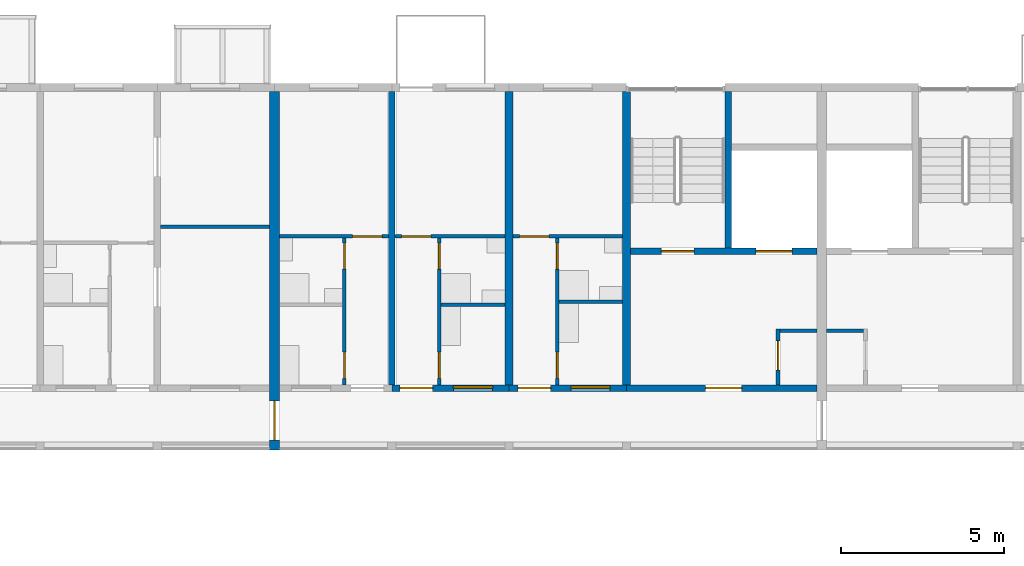
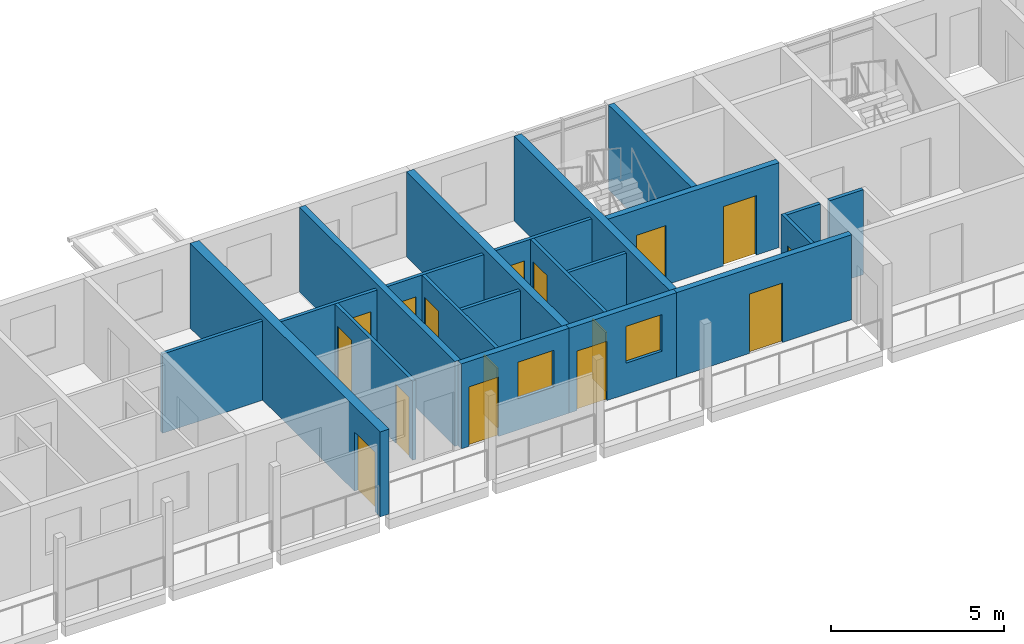
# One storey, part 58 of 100: 21 walls, 16 doors, 2 windows, 18 openings.
"""IFC4 building model written with IfcOpenShell, lengths in metres."""

from ifc_helpers import new_model, si_unit, direction, frame, frame_2d, origin, place, context, subcontext, project, spatial, rectangle, extrude, material, layer, layer_set, type_object, element, fill, save


model = new_model("IFC4")

# Units and contexts
model_context = context("Model", 3, precision=1e-05, world=origin(), true_north=direction((0.0, 1.0)))
body_context = subcontext(model_context, "Body", "Model", "MODEL_VIEW")
ifc_project = project(units=[si_unit("LENGTHUNIT", "METRE"), si_unit("AREAUNIT", "SQUARE_METRE"), si_unit("VOLUMEUNIT", "CUBIC_METRE"), si_unit("PLANEANGLEUNIT", "RADIAN"), si_unit("MASSUNIT", "GRAM", prefix="KILO")], contexts=[model_context])

# Site, building, storey
site_placement = place(None, origin())
site = spatial("IfcSite", under=ifc_project, at=site_placement, CompositionType="ELEMENT")
building_placement = place(site_placement, origin())
building = spatial("IfcBuilding", under=site, at=building_placement, Name="Ridgestep Commons", CompositionType="ELEMENT")
storey_placement = place(building_placement, frame((0.0, 0.0, 9.0)))
storey = spatial("IfcBuildingStorey", under=building, at=storey_placement, Name="L03", CompositionType="ELEMENT", Elevation=9.0)

# Wall
ifc_material_1 = material(Name="Concrete C30/37", Category="concrete")
ifc_layer_1 = layer(ifc_material_1, 0.25)
ifc_layer_set_1 = layer_set([ifc_layer_1], Name="Core cross wall 250")
wall_type_1 = type_object("IfcWallType", Name="Core cross wall 250", PredefinedType="SHEAR", material=ifc_layer_set_1)
wall_1_placement = place(storey_placement, frame((224.800048828125, 68.0, 0.0), z_axis=(0.0, 0.0, 1.0), x_axis=(0.0, 1.0, 0.0)))
element("IfcWall", 1, at=wall_1_placement, inside=storey, type_object=wall_type_1, Name="Cross wall C-03-2248", PredefinedType="SHEAR", context=body_context, shape_type="SweptSolid", body=[
    extrude(rectangle(XDim=9.0, YDim=0.25, at=frame_2d((4.5, 0.0))), origin(), (0.0, 0.0, 1.0), 3.0),
])

# Wall, opening, door
ifc_material_2 = material(Name="Concrete C30/37", Category="concrete")
ifc_layer_2 = layer(ifc_material_2, 0.199951171875)
ifc_layer_set_2 = layer_set([ifc_layer_2], Name="Core south wall 200")
wall_type_2 = type_object("IfcWallType", Name="Core south wall 200", PredefinedType="SHEAR", material=ifc_layer_set_2)
wall_2_placement = place(storey_placement, frame((224.800048828125, 67.89990234375, 0.0), z_axis=(0.0, 0.0, 1.0), x_axis=(1.0, 0.0, 0.0)))
wall_2 = element("IfcWall", 2, at=wall_2_placement, inside=storey, type_object=wall_type_2, Name="Core south wall C5C L03", PredefinedType="SHEAR", context=body_context, shape_type="SweptSolid", body=[
    extrude(rectangle(XDim=5.849853515625, YDim=0.199951171875, at=frame_2d((2.9248046875, 0.0))), origin(), (0.0, 0.0, 1.0), 3.0),
])
opening_1_placement = place(wall_2_placement, frame((2.4375, 0.0, 0.0)))
opening_1 = element("IfcOpeningElement", 3, at=opening_1_placement, cuts=wall_2, Name="Opening C5C/03/1", PredefinedType="OPENING", context=body_context, shape_type="SweptSolid", body=[
    extrude(rectangle(XDim=1.10009765625, YDim=2.10009765625, at=frame_2d((0.550048828125, 1.050048828125))), frame((0.0, 0.10986328125, 0.0), z_axis=(0.0, -1.0, 0.0), x_axis=(1.0, 0.0, 0.0)), (0.0, 0.0, 1.0), 0.219970703125),
])
ifc_material_3 = material(Name="Steel fire door", Category="steel")
door_type_1 = type_object("IfcDoorType", Name="Lobby door 1100 x 2100 FD60", OperationType="NOTDEFINED", PredefinedType="DOOR", material=ifc_material_3)
door_1_placement = place(opening_1_placement, origin())
door_1 = element("IfcDoor", 4, at=door_1_placement, inside=storey, type_object=door_type_1, Name="Lobby door C5C/03/1", OperationType="SINGLE_SWING_LEFT", OverallHeight=2.10009765625, OverallWidth=1.10009765625, PredefinedType="DOOR", context=body_context, shape_type="SweptSolid", body=[
    extrude(rectangle(XDim=1.10009765625, YDim=2.10009765625, at=frame_2d((0.550048828125, 1.050048828125))), frame((0.0, 0.02490234375, 0.0), z_axis=(0.0, -1.0, 0.0), x_axis=(1.0, 0.0, 0.0)), (0.0, 0.0, 1.0), 0.050048828125),
])
fill(opening_1, door_1)

ifc_material_4 = material(Name="Concrete C30/37", Category="concrete")
ifc_layer_3 = layer(ifc_material_4, 0.1201171875)
ifc_layer_set_3 = layer_set([ifc_layer_3], Name="Core wall 120")
wall_type_3 = type_object("IfcWallType", Name="Core wall 120", PredefinedType="SHEAR", material=ifc_layer_set_3)
wall_3_placement = place(storey_placement, frame((229.4599609375, 68.0, 0.0), z_axis=(0.0, 0.0, 1.0), x_axis=(0.0, 1.0, 0.0)))
wall_3 = element("IfcWall", 5, at=wall_3_placement, inside=storey, type_object=wall_type_3, Name="Core riser w wall C5C L03", PredefinedType="SHEAR", context=body_context, shape_type="SweptSolid", body=[
    extrude(rectangle(XDim=1.719970703125, YDim=0.1201171875, at=frame_2d((0.85986328125, 0.0))), origin(), (0.0, 0.0, 1.0), 3.0),
])
opening_2_placement = place(wall_3_placement, frame((0.449951171875, 0.0, 0.0)))
opening_2 = element("IfcOpeningElement", 6, at=opening_2_placement, cuts=wall_3, Name="Opening C5C/03/4", PredefinedType="OPENING", context=body_context, shape_type="SweptSolid", body=[
    extrude(rectangle(XDim=0.89990234375, YDim=2.10009765625, at=frame_2d((0.449951171875, 1.050048828125))), frame((0.0, 0.070068359375, 0.0), z_axis=(0.0, -1.0, 0.0), x_axis=(1.0, 0.0, 0.0)), (0.0, 0.0, 1.0), 0.14013671875),
])
ifc_material_5 = material(Name="Steel fire door", Category="steel")
door_type_2 = type_object("IfcDoorType", Name="Riser door 900 x 2100 FD60", OperationType="NOTDEFINED", PredefinedType="DOOR", material=ifc_material_5)
door_2_placement = place(opening_2_placement, origin())
door_2 = element("IfcDoor", 7, at=door_2_placement, inside=storey, type_object=door_type_2, Name="Riser door C5C/03/4", OperationType="SINGLE_SWING_LEFT", OverallHeight=2.10009765625, OverallWidth=0.89990234375, PredefinedType="DOOR", context=body_context, shape_type="SweptSolid", body=[
    extrude(rectangle(XDim=0.89990234375, YDim=2.10009765625, at=frame_2d((0.449951171875, 1.050048828125))), frame((0.0, 0.02490234375, 0.0), z_axis=(0.0, -1.0, 0.0), x_axis=(1.0, 0.0, 0.0)), (0.0, 0.0, 1.0), 0.050048828125),
])
fill(opening_2, door_2)

# Walls
wall_4_placement = place(storey_placement, frame((229.52001953125, 69.659912109375, 0.0), z_axis=(0.0, 0.0, 1.0), x_axis=(1.0, 0.0, 0.0)))
element("IfcWall", 8, at=wall_4_placement, inside=storey, type_object=wall_type_3, Name="Core riser n wall C5C L03", PredefinedType="SHEAR", context=body_context, shape_type="SweptSolid", body=[
    extrude(rectangle(XDim=1.1298828125, YDim=0.1201171875, at=frame_2d((0.56494140625, 0.0))), origin(), (0.0, 0.0, 1.0), 3.0),
])
wall_5_placement = place(storey_placement, frame((230.949951171875, 69.659912109375, 0.0), z_axis=(0.0, 0.0, 1.0), x_axis=(1.0, 0.0, 0.0)))
element("IfcWall", 9, at=wall_5_placement, inside=storey, type_object=wall_type_3, Name="Core riser n wall C6C L03", PredefinedType="SHEAR", context=body_context, shape_type="SweptSolid", body=[
    extrude(rectangle(XDim=1.130126953125, YDim=0.1201171875, at=frame_2d((0.56494140625, 0.0))), origin(), (0.0, 0.0, 1.0), 3.0),
])

# Wall, openings, doors
ifc_material_6 = material(Name="Concrete C30/37", Category="concrete")
ifc_layer_4 = layer(ifc_material_6, 0.199951171875)
ifc_layer_set_4 = layer_set([ifc_layer_4], Name="Core wall 200")
wall_type_4 = type_object("IfcWallType", Name="Core wall 200", PredefinedType="SHEAR", material=ifc_layer_set_4)
wall_6_placement = place(storey_placement, frame((224.925048828125, 72.10009765625, 0.0), z_axis=(0.0, 0.0, 1.0), x_axis=(1.0, 0.0, 0.0)))
wall_6 = element("IfcWall", 10, at=wall_6_placement, inside=storey, type_object=wall_type_4, Name="Core lobby wall C5C L03", PredefinedType="SHEAR", context=body_context, shape_type="SweptSolid", body=[
    extrude(rectangle(XDim=5.724853515625, YDim=0.199951171875, at=frame_2d((2.8623046875, 0.0))), origin(), (0.0, 0.0, 1.0), 3.0),
])
opening_3_placement = place(wall_6_placement, frame((0.949951171875, 0.0, 0.0)))
opening_3 = element("IfcOpeningElement", 11, at=opening_3_placement, cuts=wall_6, Name="Opening C5C/03/2", PredefinedType="OPENING", context=body_context, shape_type="SweptSolid", body=[
    extrude(rectangle(XDim=1.0, YDim=2.10009765625, at=frame_2d((0.5, 1.050048828125))), frame((0.0, 0.10986328125, 0.0), z_axis=(0.0, -1.0, 0.0), x_axis=(1.0, 0.0, 0.0)), (0.0, 0.0, 1.0), 0.219970703125),
])
opening_4_placement = place(wall_6_placement, frame((3.862548828125, 0.0, 0.0)))
opening_4 = element("IfcOpeningElement", 12, at=opening_4_placement, cuts=wall_6, Name="Opening C5C/03/3", PredefinedType="OPENING", context=body_context, shape_type="SweptSolid", body=[
    extrude(rectangle(XDim=1.10009765625, YDim=2.10009765625, at=frame_2d((0.550048828125, 1.050048828125))), frame((0.0, 0.10986328125, 0.0), z_axis=(0.0, -1.0, 0.0), x_axis=(1.0, 0.0, 0.0)), (0.0, 0.0, 1.0), 0.219970703125),
])
ifc_material_7 = material(Name="Stainless steel", Category="steel")
door_type_3 = type_object("IfcDoorType", Name="Lift landing door 1100 x 2100 FD60", OperationType="DOUBLE_DOOR_SLIDING", PredefinedType="DOOR", material=ifc_material_7)
door_3_placement = place(opening_4_placement, origin())
door_3 = element("IfcDoor", 13, at=door_3_placement, inside=storey, type_object=door_type_3, Name="Landing door LD C5C L03", OperationType="DOUBLE_DOOR_SLIDING", OverallHeight=2.10009765625, OverallWidth=1.10009765625, PredefinedType="DOOR", context=body_context, shape_type="SweptSolid", body=[
    extrude(rectangle(XDim=1.10009765625, YDim=2.10009765625, at=frame_2d((0.550048828125, 1.050048828125))), frame((0.0, 0.02490234375, 0.0), z_axis=(0.0, -1.0, 0.0), x_axis=(1.0, 0.0, 0.0)), (0.0, 0.0, 1.0), 0.050048828125),
])
fill(opening_4, door_3)
ifc_material_8 = material(Name="Steel fire door", Category="steel")
door_type_4 = type_object("IfcDoorType", Name="Stair door 1000 x 2100 FD60", OperationType="NOTDEFINED", PredefinedType="DOOR", material=ifc_material_8)
door_4_placement = place(opening_3_placement, origin())
door_4 = element("IfcDoor", 14, at=door_4_placement, inside=storey, type_object=door_type_4, Name="Stair door C5C/03/2", OperationType="SINGLE_SWING_RIGHT", OverallHeight=2.10009765625, OverallWidth=1.0, PredefinedType="DOOR", context=body_context, shape_type="SweptSolid", body=[
    extrude(rectangle(XDim=1.0, YDim=2.10009765625, at=frame_2d((0.5, 1.050048828125))), frame((0.0, 0.02490234375, 0.0), z_axis=(0.0, -1.0, 0.0), x_axis=(1.0, 0.0, 0.0)), (0.0, 0.0, 1.0), 0.050048828125),
])
fill(opening_3, door_4)

# Walls
wall_7_placement = place(storey_placement, frame((227.925048828125, 72.199951171875, 0.0), z_axis=(0.0, 0.0, 1.0), x_axis=(0.0, 1.0, 0.0)))
element("IfcWall", 15, at=wall_7_placement, inside=storey, type_object=wall_type_4, Name="Core stair wall C5C L03", PredefinedType="SHEAR", context=body_context, shape_type="SweptSolid", body=[
    extrude(rectangle(XDim=4.800048828125, YDim=0.199951171875, at=frame_2d((2.39990234375, 0.0))), origin(), (0.0, 0.0, 1.0), 3.0),
])
ifc_material_9 = material(Name="Precast concrete C40/50", Category="concrete")
ifc_layer_5 = layer(ifc_material_9, 0.199951171875)
ifc_layer_set_5 = layer_set([ifc_layer_5], Name="Cross wall 200")
wall_type_5 = type_object("IfcWallType", Name="Cross wall 200", PredefinedType="SHEAR", material=ifc_layer_set_5)
wall_8_placement = place(storey_placement, frame((217.60009765625, 68.0, 0.0), z_axis=(0.0, 0.0, 1.0), x_axis=(0.0, 1.0, 0.0)))
element("IfcWall", 16, at=wall_8_placement, inside=storey, type_object=wall_type_5, Name="Cross wall C-03-2176", PredefinedType="SHEAR", context=body_context, shape_type="SweptSolid", body=[
    extrude(rectangle(XDim=9.0, YDim=0.199951171875, at=frame_2d((4.5, 0.0))), origin(), (0.0, 0.0, 1.0), 3.0),
])
ifc_material_10 = material(Name="Precast concrete C40/50", Category="concrete")
ifc_layer_6 = layer(ifc_material_10, 0.25)
ifc_layer_set_6 = layer_set([ifc_layer_6], Name="Cross wall 250")
wall_type_6 = type_object("IfcWallType", Name="Cross wall 250", PredefinedType="SHEAR", material=ifc_layer_set_6)
wall_9_placement = place(storey_placement, frame((221.199951171875, 68.0, 0.0), z_axis=(0.0, 0.0, 1.0), x_axis=(0.0, 1.0, 0.0)))
element("IfcWall", 17, at=wall_9_placement, inside=storey, type_object=wall_type_6, Name="Cross wall C-03-2212", PredefinedType="SHEAR", context=body_context, shape_type="SweptSolid", body=[
    extrude(rectangle(XDim=9.0, YDim=0.25, at=frame_2d((4.5, 0.0))), origin(), (0.0, 0.0, 1.0), 3.0),
])

# Wall, opening, door
ifc_material_11 = material(Name="Precast concrete C40/50", Category="concrete")
ifc_layer_7 = layer(ifc_material_11, 0.300048828125)
ifc_layer_set_7 = layer_set([ifc_layer_7], Name="Division wall 300")
wall_type_7 = type_object("IfcWallType", Name="Division wall 300", PredefinedType="SHEAR", material=ifc_layer_set_7)
wall_10_placement = place(storey_placement, frame((214.0, 66.0, 0.0), z_axis=(0.0, 0.0, 1.0), x_axis=(0.0, 1.0, 0.0)))
wall_10 = element("IfcWall", 18, at=wall_10_placement, inside=storey, type_object=wall_type_7, Name="Cross wall C-03-2140", PredefinedType="SHEAR", context=body_context, shape_type="SweptSolid", body=[
    extrude(rectangle(XDim=11.0, YDim=0.300048828125, at=frame_2d((5.5, 0.0))), origin(), (0.0, 0.0, 1.0), 3.0),
])
opening_5_placement = place(wall_10_placement, frame((0.300048828125, 0.0, 0.0)))
opening_5 = element("IfcOpeningElement", 19, at=opening_5_placement, cuts=wall_10, Name="Opening C/03/G2140", PredefinedType="OPENING", context=body_context, shape_type="SweptSolid", body=[
    extrude(rectangle(XDim=1.199951171875, YDim=2.10009765625, at=frame_2d((0.60009765625, 1.050048828125))), frame((0.0, 0.159912109375, 0.0), z_axis=(0.0, -1.0, 0.0), x_axis=(1.0, 0.0, 0.0)), (0.0, 0.0, 1.0), 0.320068359375),
])
ifc_material_12 = material(Name="Steel fire door", Category="steel")
door_type_5 = type_object("IfcDoorType", Name="Division fire door 1200 x 2100 EI 240", OperationType="DOUBLE_DOOR_SINGLE_SWING", PredefinedType="DOOR", material=ifc_material_12)
door_5_placement = place(opening_5_placement, origin())
door_5 = element("IfcDoor", 20, at=door_5_placement, inside=storey, type_object=door_type_5, Name="Division fire door C/03/G2140", OperationType="DOUBLE_DOOR_SINGLE_SWING", OverallHeight=2.10009765625, OverallWidth=1.199951171875, PredefinedType="DOOR", context=body_context, shape_type="SweptSolid", body=[
    extrude(rectangle(XDim=1.199951171875, YDim=2.10009765625, at=frame_2d((0.60009765625, 1.050048828125))), frame((0.0, 0.02490234375, 0.0), z_axis=(0.0, -1.0, 0.0), x_axis=(1.0, 0.0, 0.0)), (0.0, 0.0, 1.0), 0.050048828125),
])
fill(opening_5, door_5)

# Wall
ifc_material_13 = material(Name="Common brick 110 mm", Category="masonry")
ifc_layer_8 = layer(ifc_material_13, 0.110107421875)
ifc_layer_set_8 = layer_set([ifc_layer_8], Name="Partition 110")
wall_type_8 = type_object("IfcWallType", Name="Partition 110", PredefinedType="PARTITIONING", material=ifc_layer_set_8)
wall_11_placement = place(storey_placement, frame((210.5, 72.85498046875, 0.0), z_axis=(0.0, 0.0, 1.0), x_axis=(1.0, 0.0, 0.0)))
element("IfcWall", 21, at=wall_11_placement, inside=storey, type_object=wall_type_8, Name="Partition C4-03a", PredefinedType="PARTITIONING", context=body_context, shape_type="SweptSolid", body=[
    extrude(rectangle(XDim=3.35009765625, YDim=0.110107421875, at=frame_2d((1.675048828125, 0.0))), origin(), (0.0, 0.0, 1.0), 2.800048828125),
])

# Wall, openings, doors
wall_12_placement = place(storey_placement, frame((216.14501953125, 68.0, 0.0), z_axis=(0.0, 0.0, 1.0), x_axis=(0.0, 1.0, 0.0)))
wall_12 = element("IfcWall", 22, at=wall_12_placement, inside=storey, type_object=wall_type_8, Name="Partition C5-03a", PredefinedType="PARTITIONING", context=body_context, shape_type="SweptSolid", body=[
    extrude(rectangle(XDim=4.5, YDim=0.110107421875, at=frame_2d((2.25, 0.0))), origin(), (0.0, 0.0, 1.0), 2.800048828125),
])
opening_6_placement = place(wall_12_placement, frame((0.199951171875, 0.0, 0.0)))
opening_6 = element("IfcOpeningElement", 23, at=opening_6_placement, cuts=wall_12, Name="Opening C5-03a/2", PredefinedType="OPENING", context=body_context, shape_type="SweptSolid", body=[
    extrude(rectangle(XDim=0.800048828125, YDim=2.10009765625, at=frame_2d((0.39990234375, 1.050048828125))), frame((0.0, 0.06494140625, 0.0), z_axis=(0.0, -1.0, 0.0), x_axis=(1.0, 0.0, 0.0)), (0.0, 0.0, 1.0), 0.130126953125),
])
opening_7_placement = place(wall_12_placement, frame((3.550048828125, 0.0, 0.0)))
opening_7 = element("IfcOpeningElement", 24, at=opening_7_placement, cuts=wall_12, Name="Opening C5-03a/3", PredefinedType="OPENING", context=body_context, shape_type="SweptSolid", body=[
    extrude(rectangle(XDim=0.800048828125, YDim=2.10009765625, at=frame_2d((0.39990234375, 1.050048828125))), frame((0.0, 0.06494140625, 0.0), z_axis=(0.0, -1.0, 0.0), x_axis=(1.0, 0.0, 0.0)), (0.0, 0.0, 1.0), 0.130126953125),
])
ifc_material_14 = material(Name="Timber door leaf", Category="wood")
door_type_6 = type_object("IfcDoorType", Name="Internal door 800 x 2100", OperationType="NOTDEFINED", PredefinedType="DOOR", material=ifc_material_14)
door_6_placement = place(opening_6_placement, origin())
door_6 = element("IfcDoor", 25, at=door_6_placement, inside=storey, type_object=door_type_6, Name="Internal door C5-03a/2", OperationType="SINGLE_SWING_LEFT", OverallHeight=2.10009765625, OverallWidth=0.800048828125, PredefinedType="DOOR", context=body_context, shape_type="SweptSolid", body=[
    extrude(rectangle(XDim=0.800048828125, YDim=2.10009765625, at=frame_2d((0.39990234375, 1.050048828125))), frame((0.0, 0.02490234375, 0.0), z_axis=(0.0, -1.0, 0.0), x_axis=(1.0, 0.0, 0.0)), (0.0, 0.0, 1.0), 0.050048828125),
])
fill(opening_6, door_6)
door_7_placement = place(opening_7_placement, origin())
door_7 = element("IfcDoor", 26, at=door_7_placement, inside=storey, type_object=door_type_6, Name="Internal door C5-03a/3", OperationType="SINGLE_SWING_RIGHT", OverallHeight=2.10009765625, OverallWidth=0.800048828125, PredefinedType="DOOR", context=body_context, shape_type="SweptSolid", body=[
    extrude(rectangle(XDim=0.800048828125, YDim=2.10009765625, at=frame_2d((0.39990234375, 1.050048828125))), frame((0.0, 0.02490234375, 0.0), z_axis=(0.0, -1.0, 0.0), x_axis=(1.0, 0.0, 0.0)), (0.0, 0.0, 1.0), 0.050048828125),
])
fill(opening_7, door_7)

# Wall, opening, door
wall_13_placement = place(storey_placement, frame((214.14990234375, 72.554931640625, 0.0), z_axis=(0.0, 0.0, 1.0), x_axis=(1.0, 0.0, 0.0)))
wall_13 = element("IfcWall", 27, at=wall_13_placement, inside=storey, type_object=wall_type_8, Name="Partition C5-03a", PredefinedType="PARTITIONING", context=body_context, shape_type="SweptSolid", body=[
    extrude(rectangle(XDim=3.35009765625, YDim=0.110107421875, at=frame_2d((1.675048828125, 0.0))), origin(), (0.0, 0.0, 1.0), 2.800048828125),
])
opening_8_placement = place(wall_13_placement, frame((2.25, 0.0, 0.0)))
opening_8 = element("IfcOpeningElement", 28, at=opening_8_placement, cuts=wall_13, Name="Opening C5-03a/4", PredefinedType="OPENING", context=body_context, shape_type="SweptSolid", body=[
    extrude(rectangle(XDim=0.89990234375, YDim=2.10009765625, at=frame_2d((0.449951171875, 1.050048828125))), frame((0.0, 0.06494140625, 0.0), z_axis=(0.0, -1.0, 0.0), x_axis=(1.0, 0.0, 0.0)), (0.0, 0.0, 1.0), 0.130126953125),
])
ifc_material_15 = material(Name="Timber door leaf", Category="wood")
door_type_7 = type_object("IfcDoorType", Name="Internal door 900 x 2100", OperationType="NOTDEFINED", PredefinedType="DOOR", material=ifc_material_15)
door_8_placement = place(opening_8_placement, origin())
door_8 = element("IfcDoor", 29, at=door_8_placement, inside=storey, type_object=door_type_7, Name="Internal door C5-03a/4", OperationType="SINGLE_SWING_LEFT", OverallHeight=2.10009765625, OverallWidth=0.89990234375, PredefinedType="DOOR", context=body_context, shape_type="SweptSolid", body=[
    extrude(rectangle(XDim=0.89990234375, YDim=2.10009765625, at=frame_2d((0.449951171875, 1.050048828125))), frame((0.0, 0.02490234375, 0.0), z_axis=(0.0, -1.0, 0.0), x_axis=(1.0, 0.0, 0.0)), (0.0, 0.0, 1.0), 0.050048828125),
])
fill(opening_8, door_8)

# Wall, openings, doors
wall_14_placement = place(storey_placement, frame((219.054931640625, 68.0, 0.0), z_axis=(0.0, 0.0, 1.0), x_axis=(0.0, 1.0, 0.0)))
wall_14 = element("IfcWall", 30, at=wall_14_placement, inside=storey, type_object=wall_type_8, Name="Partition C5-03b", PredefinedType="PARTITIONING", context=body_context, shape_type="SweptSolid", body=[
    extrude(rectangle(XDim=4.5, YDim=0.110107421875, at=frame_2d((2.25, 0.0))), origin(), (0.0, 0.0, 1.0), 2.800048828125),
])
opening_9_placement = place(wall_14_placement, frame((0.199951171875, 0.0, 0.0)))
opening_9 = element("IfcOpeningElement", 31, at=opening_9_placement, cuts=wall_14, Name="Opening C5-03b/2", PredefinedType="OPENING", context=body_context, shape_type="SweptSolid", body=[
    extrude(rectangle(XDim=0.800048828125, YDim=2.10009765625, at=frame_2d((0.39990234375, 1.050048828125))), frame((0.0, 0.06494140625, 0.0), z_axis=(0.0, -1.0, 0.0), x_axis=(1.0, 0.0, 0.0)), (0.0, 0.0, 1.0), 0.130126953125),
])
opening_10_placement = place(wall_14_placement, frame((3.550048828125, 0.0, 0.0)))
opening_10 = element("IfcOpeningElement", 32, at=opening_10_placement, cuts=wall_14, Name="Opening C5-03b/3", PredefinedType="OPENING", context=body_context, shape_type="SweptSolid", body=[
    extrude(rectangle(XDim=0.800048828125, YDim=2.10009765625, at=frame_2d((0.39990234375, 1.050048828125))), frame((0.0, 0.06494140625, 0.0), z_axis=(0.0, -1.0, 0.0), x_axis=(1.0, 0.0, 0.0)), (0.0, 0.0, 1.0), 0.130126953125),
])
door_9_placement = place(opening_9_placement, origin())
door_9 = element("IfcDoor", 33, at=door_9_placement, inside=storey, type_object=door_type_6, Name="Internal door C5-03b/2", OperationType="SINGLE_SWING_RIGHT", OverallHeight=2.10009765625, OverallWidth=0.800048828125, PredefinedType="DOOR", context=body_context, shape_type="SweptSolid", body=[
    extrude(rectangle(XDim=0.800048828125, YDim=2.10009765625, at=frame_2d((0.39990234375, 1.050048828125))), frame((0.0, 0.02490234375, 0.0), z_axis=(0.0, -1.0, 0.0), x_axis=(1.0, 0.0, 0.0)), (0.0, 0.0, 1.0), 0.050048828125),
])
fill(opening_9, door_9)
door_10_placement = place(opening_10_placement, origin())
door_10 = element("IfcDoor", 34, at=door_10_placement, inside=storey, type_object=door_type_6, Name="Internal door C5-03b/3", OperationType="SINGLE_SWING_LEFT", OverallHeight=2.10009765625, OverallWidth=0.800048828125, PredefinedType="DOOR", context=body_context, shape_type="SweptSolid", body=[
    extrude(rectangle(XDim=0.800048828125, YDim=2.10009765625, at=frame_2d((0.39990234375, 1.050048828125))), frame((0.0, 0.02490234375, 0.0), z_axis=(0.0, -1.0, 0.0), x_axis=(1.0, 0.0, 0.0)), (0.0, 0.0, 1.0), 0.050048828125),
])
fill(opening_10, door_10)

# Wall
wall_15_placement = place(storey_placement, frame((219.110107421875, 70.455078125, 0.0), z_axis=(0.0, 0.0, 1.0), x_axis=(1.0, 0.0, 0.0)))
element("IfcWall", 35, at=wall_15_placement, inside=storey, type_object=wall_type_8, Name="Partition C5-03b", PredefinedType="PARTITIONING", context=body_context, shape_type="SweptSolid", body=[
    extrude(rectangle(XDim=1.96484375, YDim=0.110107421875, at=frame_2d((0.982421875, 0.0))), origin(), (0.0, 0.0, 1.0), 2.800048828125),
])

# Wall, opening, door
wall_16_placement = place(storey_placement, frame((217.699951171875, 72.554931640625, 0.0), z_axis=(0.0, 0.0, 1.0), x_axis=(1.0, 0.0, 0.0)))
wall_16 = element("IfcWall", 36, at=wall_16_placement, inside=storey, type_object=wall_type_8, Name="Partition C5-03b", PredefinedType="PARTITIONING", context=body_context, shape_type="SweptSolid", body=[
    extrude(rectangle(XDim=3.375, YDim=0.110107421875, at=frame_2d((1.6875, 0.0))), origin(), (0.0, 0.0, 1.0), 2.800048828125),
])
opening_11_placement = place(wall_16_placement, frame((0.199951171875, 0.0, 0.0)))
opening_11 = element("IfcOpeningElement", 37, at=opening_11_placement, cuts=wall_16, Name="Opening C5-03b/4", PredefinedType="OPENING", context=body_context, shape_type="SweptSolid", body=[
    extrude(rectangle(XDim=0.89990234375, YDim=2.10009765625, at=frame_2d((0.449951171875, 1.050048828125))), frame((0.0, 0.06494140625, 0.0), z_axis=(0.0, -1.0, 0.0), x_axis=(1.0, 0.0, 0.0)), (0.0, 0.0, 1.0), 0.130126953125),
])
door_11_placement = place(opening_11_placement, origin())
door_11 = element("IfcDoor", 38, at=door_11_placement, inside=storey, type_object=door_type_7, Name="Internal door C5-03b/4", OperationType="SINGLE_SWING_LEFT", OverallHeight=2.10009765625, OverallWidth=0.89990234375, PredefinedType="DOOR", context=body_context, shape_type="SweptSolid", body=[
    extrude(rectangle(XDim=0.89990234375, YDim=2.10009765625, at=frame_2d((0.449951171875, 1.050048828125))), frame((0.0, 0.02490234375, 0.0), z_axis=(0.0, -1.0, 0.0), x_axis=(1.0, 0.0, 0.0)), (0.0, 0.0, 1.0), 0.050048828125),
])
fill(opening_11, door_11)

# Wall, openings, doors
wall_17_placement = place(storey_placement, frame((222.679931640625, 68.0, 0.0), z_axis=(0.0, 0.0, 1.0), x_axis=(0.0, 1.0, 0.0)))
wall_17 = element("IfcWall", 39, at=wall_17_placement, inside=storey, type_object=wall_type_8, Name="Partition C5-03c", PredefinedType="PARTITIONING", context=body_context, shape_type="SweptSolid", body=[
    extrude(rectangle(XDim=4.5, YDim=0.110107421875, at=frame_2d((2.25, 0.0))), origin(), (0.0, 0.0, 1.0), 2.800048828125),
])
opening_12_placement = place(wall_17_placement, frame((0.199951171875, 0.0, 0.0)))
opening_12 = element("IfcOpeningElement", 40, at=opening_12_placement, cuts=wall_17, Name="Opening C5-03c/2", PredefinedType="OPENING", context=body_context, shape_type="SweptSolid", body=[
    extrude(rectangle(XDim=0.800048828125, YDim=2.10009765625, at=frame_2d((0.39990234375, 1.050048828125))), frame((0.0, 0.06494140625, 0.0), z_axis=(0.0, -1.0, 0.0), x_axis=(1.0, 0.0, 0.0)), (0.0, 0.0, 1.0), 0.130126953125),
])
opening_13_placement = place(wall_17_placement, frame((3.550048828125, 0.0, 0.0)))
opening_13 = element("IfcOpeningElement", 41, at=opening_13_placement, cuts=wall_17, Name="Opening C5-03c/3", PredefinedType="OPENING", context=body_context, shape_type="SweptSolid", body=[
    extrude(rectangle(XDim=0.800048828125, YDim=2.10009765625, at=frame_2d((0.39990234375, 1.050048828125))), frame((0.0, 0.06494140625, 0.0), z_axis=(0.0, -1.0, 0.0), x_axis=(1.0, 0.0, 0.0)), (0.0, 0.0, 1.0), 0.130126953125),
])
door_12_placement = place(opening_12_placement, origin())
door_12 = element("IfcDoor", 42, at=door_12_placement, inside=storey, type_object=door_type_6, Name="Internal door C5-03c/2", OperationType="SINGLE_SWING_RIGHT", OverallHeight=2.10009765625, OverallWidth=0.800048828125, PredefinedType="DOOR", context=body_context, shape_type="SweptSolid", body=[
    extrude(rectangle(XDim=0.800048828125, YDim=2.10009765625, at=frame_2d((0.39990234375, 1.050048828125))), frame((0.0, 0.02490234375, 0.0), z_axis=(0.0, -1.0, 0.0), x_axis=(1.0, 0.0, 0.0)), (0.0, 0.0, 1.0), 0.050048828125),
])
fill(opening_12, door_12)
door_13_placement = place(opening_13_placement, origin())
door_13 = element("IfcDoor", 43, at=door_13_placement, inside=storey, type_object=door_type_6, Name="Internal door C5-03c/3", OperationType="SINGLE_SWING_LEFT", OverallHeight=2.10009765625, OverallWidth=0.800048828125, PredefinedType="DOOR", context=body_context, shape_type="SweptSolid", body=[
    extrude(rectangle(XDim=0.800048828125, YDim=2.10009765625, at=frame_2d((0.39990234375, 1.050048828125))), frame((0.0, 0.02490234375, 0.0), z_axis=(0.0, -1.0, 0.0), x_axis=(1.0, 0.0, 0.0)), (0.0, 0.0, 1.0), 0.050048828125),
])
fill(opening_13, door_13)

# Wall
wall_18_placement = place(storey_placement, frame((222.735107421875, 70.554931640625, 0.0), z_axis=(0.0, 0.0, 1.0), x_axis=(1.0, 0.0, 0.0)))
element("IfcWall", 44, at=wall_18_placement, inside=storey, type_object=wall_type_8, Name="Partition C5-03c", PredefinedType="PARTITIONING", context=body_context, shape_type="SweptSolid", body=[
    extrude(rectangle(XDim=1.93994140625, YDim=0.110107421875, at=frame_2d((0.969970703125, 0.0))), origin(), (0.0, 0.0, 1.0), 2.800048828125),
])

# Wall, opening, door
wall_19_placement = place(storey_placement, frame((221.324951171875, 72.554931640625, 0.0), z_axis=(0.0, 0.0, 1.0), x_axis=(1.0, 0.0, 0.0)))
wall_19 = element("IfcWall", 45, at=wall_19_placement, inside=storey, type_object=wall_type_8, Name="Partition C5-03c", PredefinedType="PARTITIONING", context=body_context, shape_type="SweptSolid", body=[
    extrude(rectangle(XDim=3.35009765625, YDim=0.110107421875, at=frame_2d((1.675048828125, 0.0))), origin(), (0.0, 0.0, 1.0), 2.800048828125),
])
opening_14_placement = place(wall_19_placement, frame((0.199951171875, 0.0, 0.0)))
opening_14 = element("IfcOpeningElement", 46, at=opening_14_placement, cuts=wall_19, Name="Opening C5-03c/4", PredefinedType="OPENING", context=body_context, shape_type="SweptSolid", body=[
    extrude(rectangle(XDim=0.89990234375, YDim=2.10009765625, at=frame_2d((0.449951171875, 1.050048828125))), frame((0.0, 0.06494140625, 0.0), z_axis=(0.0, -1.0, 0.0), x_axis=(1.0, 0.0, 0.0)), (0.0, 0.0, 1.0), 0.130126953125),
])
door_14_placement = place(opening_14_placement, origin())
door_14 = element("IfcDoor", 47, at=door_14_placement, inside=storey, type_object=door_type_7, Name="Internal door C5-03c/4", OperationType="SINGLE_SWING_LEFT", OverallHeight=2.10009765625, OverallWidth=0.89990234375, PredefinedType="DOOR", context=body_context, shape_type="SweptSolid", body=[
    extrude(rectangle(XDim=0.89990234375, YDim=2.10009765625, at=frame_2d((0.449951171875, 1.050048828125))), frame((0.0, 0.02490234375, 0.0), z_axis=(0.0, -1.0, 0.0), x_axis=(1.0, 0.0, 0.0)), (0.0, 0.0, 1.0), 0.050048828125),
])
fill(opening_14, door_14)

# Wall, openings, door, window
ifc_material_16 = material(Name="Precast concrete C40/50", Category="concrete")
ifc_layer_9 = layer(ifc_material_16, 0.199951171875)
ifc_layer_set_9 = layer_set([ifc_layer_9], Name="South facade panel 200")
wall_type_9 = type_object("IfcWallType", Name="South facade panel 200", PredefinedType="SOLIDWALL", material=ifc_layer_set_9)
wall_20_placement = place(storey_placement, frame((217.60009765625, 67.89990234375, 0.0), z_axis=(0.0, 0.0, 1.0), x_axis=(1.0, 0.0, 0.0)))
wall_20 = element("IfcWall", 48, at=wall_20_placement, inside=storey, type_object=wall_type_9, Name="South panel C5T2 L03", PredefinedType="SOLIDWALL", context=body_context, shape_type="SweptSolid", body=[
    extrude(rectangle(XDim=3.599853515625, YDim=0.199951171875, at=frame_2d((1.7998046875, 0.0))), origin(), (0.0, 0.0, 1.0), 3.0),
])
opening_15_placement = place(wall_20_placement, frame((1.892578125, 0.0, 1.10009765625)))
opening_15 = element("IfcOpeningElement", 49, at=opening_15_placement, cuts=wall_20, Name="Opening W08", PredefinedType="OPENING", context=body_context, shape_type="SweptSolid", body=[
    extrude(rectangle(XDim=1.199951171875, YDim=1.300048828125, at=frame_2d((0.60009765625, 0.64990234375))), frame((0.0, 0.10986328125, 0.0), z_axis=(0.0, -1.0, 0.0), x_axis=(1.0, 0.0, 0.0)), (0.0, 0.0, 1.0), 0.219970703125),
])
opening_16_placement = place(wall_20_placement, frame((0.25, 0.0, 0.0)))
opening_16 = element("IfcOpeningElement", 50, at=opening_16_placement, cuts=wall_20, Name="Opening C5-03b/1", PredefinedType="OPENING", context=body_context, shape_type="SweptSolid", body=[
    extrude(rectangle(XDim=1.0, YDim=2.10009765625, at=frame_2d((0.5, 1.050048828125))), frame((0.0, 0.10986328125, 0.0), z_axis=(0.0, -1.0, 0.0), x_axis=(1.0, 0.0, 0.0)), (0.0, 0.0, 1.0), 0.219970703125),
])
ifc_material_17 = material(Name="Timber door leaf", Category="wood")
door_type_8 = type_object("IfcDoorType", Name="Flat entrance door 1000 x 2100 FD30S", OperationType="NOTDEFINED", PredefinedType="DOOR", material=ifc_material_17)
door_15_placement = place(opening_16_placement, origin())
door_15 = element("IfcDoor", 51, at=door_15_placement, inside=storey, type_object=door_type_8, Name="Flat entrance door C5-03b/1", OperationType="SINGLE_SWING_LEFT", OverallHeight=2.10009765625, OverallWidth=1.0, PredefinedType="DOOR", context=body_context, shape_type="SweptSolid", body=[
    extrude(rectangle(XDim=1.0, YDim=2.10009765625, at=frame_2d((0.5, 1.050048828125))), frame((0.0, 0.02490234375, 0.0), z_axis=(0.0, -1.0, 0.0), x_axis=(1.0, 0.0, 0.0)), (0.0, 0.0, 1.0), 0.050048828125),
])
fill(opening_16, door_15)
ifc_material_18 = material(Name="Aluminium 6063-T6 and glass", Category="aluminium")
window_type = type_object("IfcWindowType", Name="Flat window 1200 x 1300", PartitioningType="SINGLE_PANEL", PredefinedType="WINDOW", material=ifc_material_18)
window_1_placement = place(opening_15_placement, origin())
window_1 = element("IfcWindow", 52, at=window_1_placement, inside=storey, type_object=window_type, Name="Window C5-03b 1", OverallHeight=1.300048828125, OverallWidth=1.199951171875, PartitioningType="SINGLE_PANEL", PredefinedType="WINDOW", context=body_context, shape_type="SweptSolid", body=[
    extrude(rectangle(XDim=1.199951171875, YDim=1.300048828125, at=frame_2d((0.60009765625, 0.64990234375))), frame((0.0, 0.06005859375, 0.0), z_axis=(0.0, -1.0, 0.0), x_axis=(1.0, 0.0, 0.0)), (0.0, 0.0, 1.0), 0.06005859375),
])
fill(opening_15, window_1)

wall_21_placement = place(storey_placement, frame((221.199951171875, 67.89990234375, 0.0), z_axis=(0.0, 0.0, 1.0), x_axis=(1.0, 0.0, 0.0)))
wall_21 = element("IfcWall", 53, at=wall_21_placement, inside=storey, type_object=wall_type_9, Name="South panel C5T3 L03", PredefinedType="SOLIDWALL", context=body_context, shape_type="SweptSolid", body=[
    extrude(rectangle(XDim=3.60009765625, YDim=0.199951171875, at=frame_2d((1.800048828125, 0.0))), origin(), (0.0, 0.0, 1.0), 3.0),
])
opening_17_placement = place(wall_21_placement, frame((1.905029296875, 0.0, 1.10009765625)))
opening_17 = element("IfcOpeningElement", 54, at=opening_17_placement, cuts=wall_21, Name="Opening W08", PredefinedType="OPENING", context=body_context, shape_type="SweptSolid", body=[
    extrude(rectangle(XDim=1.199951171875, YDim=1.300048828125, at=frame_2d((0.60009765625, 0.64990234375))), frame((0.0, 0.10986328125, 0.0), z_axis=(0.0, -1.0, 0.0), x_axis=(1.0, 0.0, 0.0)), (0.0, 0.0, 1.0), 0.219970703125),
])
opening_18_placement = place(wall_21_placement, frame((0.27490234375, 0.0, 0.0)))
opening_18 = element("IfcOpeningElement", 55, at=opening_18_placement, cuts=wall_21, Name="Opening C5-03c/1", PredefinedType="OPENING", context=body_context, shape_type="SweptSolid", body=[
    extrude(rectangle(XDim=1.0, YDim=2.10009765625, at=frame_2d((0.5, 1.050048828125))), frame((0.0, 0.10986328125, 0.0), z_axis=(0.0, -1.0, 0.0), x_axis=(1.0, 0.0, 0.0)), (0.0, 0.0, 1.0), 0.219970703125),
])
door_16_placement = place(opening_18_placement, origin())
door_16 = element("IfcDoor", 56, at=door_16_placement, inside=storey, type_object=door_type_8, Name="Flat entrance door C5-03c/1", OperationType="SINGLE_SWING_LEFT", OverallHeight=2.10009765625, OverallWidth=1.0, PredefinedType="DOOR", context=body_context, shape_type="SweptSolid", body=[
    extrude(rectangle(XDim=1.0, YDim=2.10009765625, at=frame_2d((0.5, 1.050048828125))), frame((0.0, 0.02490234375, 0.0), z_axis=(0.0, -1.0, 0.0), x_axis=(1.0, 0.0, 0.0)), (0.0, 0.0, 1.0), 0.050048828125),
])
fill(opening_18, door_16)
window_2_placement = place(opening_17_placement, origin())
window_2 = element("IfcWindow", 57, at=window_2_placement, inside=storey, type_object=window_type, Name="Window C5-03c 1", OverallHeight=1.300048828125, OverallWidth=1.199951171875, PartitioningType="SINGLE_PANEL", PredefinedType="WINDOW", context=body_context, shape_type="SweptSolid", body=[
    extrude(rectangle(XDim=1.199951171875, YDim=1.300048828125, at=frame_2d((0.60009765625, 0.64990234375))), frame((0.0, 0.06005859375, 0.0), z_axis=(0.0, -1.0, 0.0), x_axis=(1.0, 0.0, 0.0)), (0.0, 0.0, 1.0), 0.06005859375),
])
fill(opening_17, window_2)

save(model, "model.ifc")
